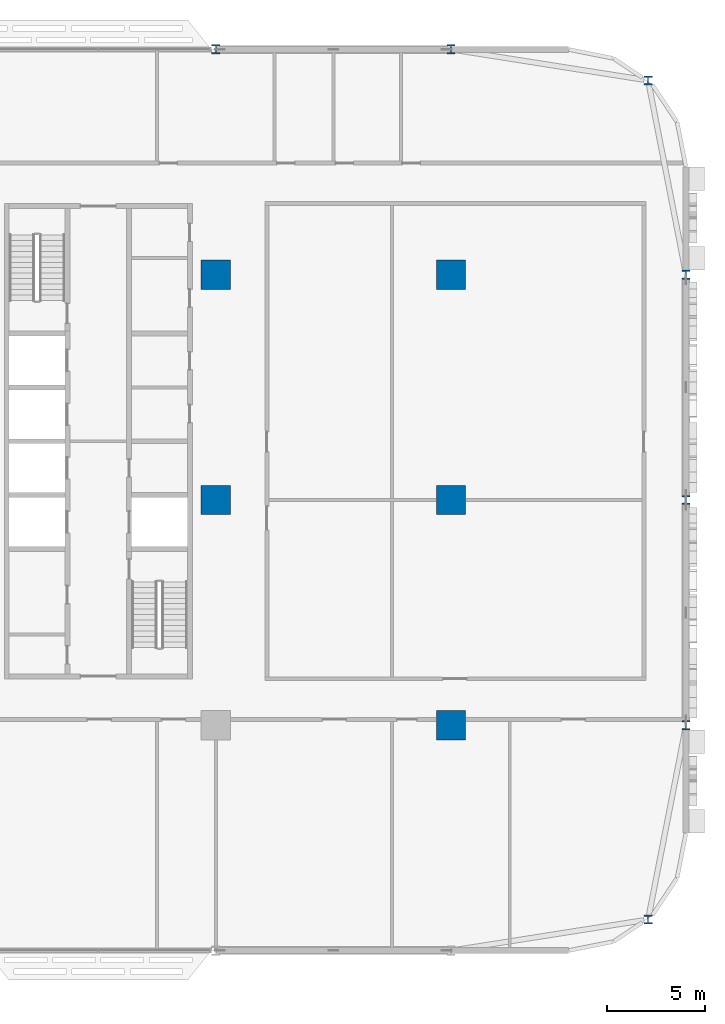
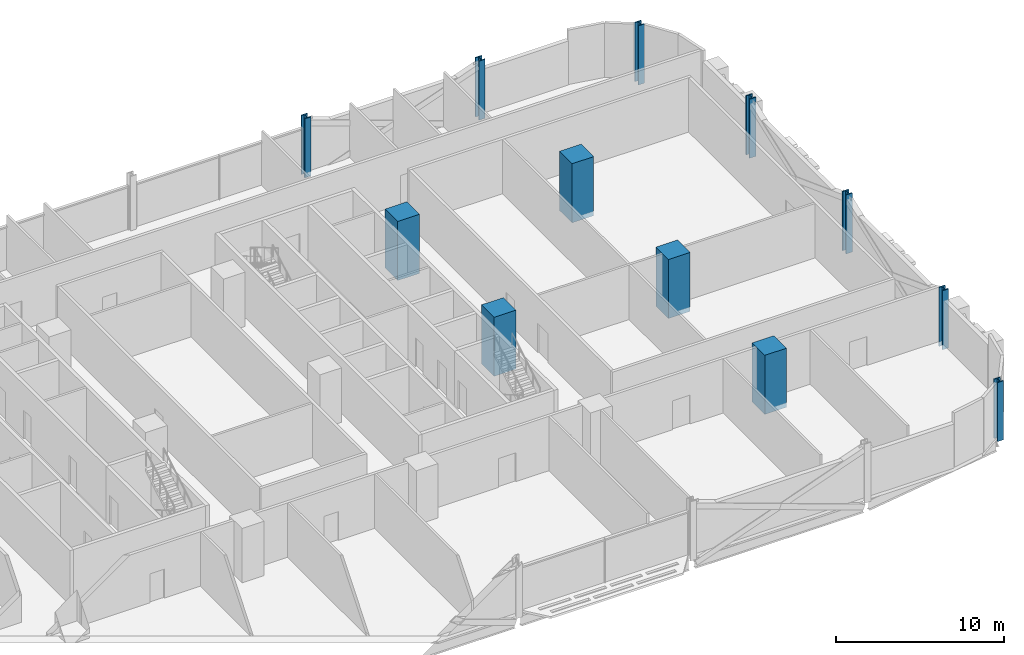
# One storey, part 2 of 29: 12 columns.
"""IFC4 building model written with IfcOpenShell, lengths in metres."""

from ifc_helpers import new_model, si_unit, direction, frame, origin, origin_2d, place, context, subcontext, project, spatial, rectangle, i_section, extrude, material, material_profile, profile_set, type_object, element, save


model = new_model("IFC4")

# Units and contexts
model_context = context("Model", 3, precision=1e-05, world=origin(), true_north=direction((0.0, 1.0)))
body_context = subcontext(model_context, "Body", "Model", "MODEL_VIEW")
ifc_project = project(units=[si_unit("LENGTHUNIT", "METRE"), si_unit("AREAUNIT", "SQUARE_METRE"), si_unit("VOLUMEUNIT", "CUBIC_METRE"), si_unit("PLANEANGLEUNIT", "RADIAN"), si_unit("MASSUNIT", "GRAM", prefix="KILO")], contexts=[model_context])

# Site, building, storey
site_placement = place(None, origin())
site = spatial("IfcSite", under=ifc_project, at=site_placement, CompositionType="ELEMENT")
building_placement = place(site_placement, origin())
building = spatial("IfcBuilding", under=site, at=building_placement, Name="Mahtab Terrace Research Tower", CompositionType="ELEMENT")
storey_placement = place(building_placement, frame((0.0, 0.0, 71.800048828125)))
storey = spatial("IfcBuildingStorey", under=building, at=storey_placement, Name="L16", CompositionType="ELEMENT", Elevation=71.800048828125)

# Columns
ifc_material_1 = material(Name="Concrete C70/85", Category="concrete")
ifc_material_profile_1 = material_profile(ifc_material_1, rectangle(XDim=1.5, YDim=1.5, at=origin_2d()), Name="RC column 1500x1500")
ifc_profile_set_1 = profile_set([ifc_material_profile_1], Name="Concrete C70/85")
column_type_1 = type_object("IfcColumnType", Name="RC column 1500x1500", PredefinedType="COLUMN", material=ifc_profile_set_1)
for number, where, z_axis, x_axis, name in (
    (1, (30.0, 0.0, -0.340087890625), (0.0, 0.0, 1.0), (1.0, 0.0, 0.0), "Column RC-7B L16"),
    (2, (30.0, 11.5, -0.340087890625), (0.0, 0.0, 1.0), (1.0, 0.0, 0.0), "Column RC-7C L16"),
    (3, (42.0, -11.5, -0.340087890625), (0.0, 0.0, 1.0), (1.0, 0.0, 0.0), "Column RC-8A L16"),
    (4, (42.0, 0.0, -0.340087890625), (0.0, 0.0, 1.0), (1.0, 0.0, 0.0), "Column RC-8B L16"),
    (5, (42.0, 11.5, -0.340087890625), (0.0, 0.0, 1.0), (1.0, 0.0, 0.0), "Column RC-8C L16"),
):
    element("IfcColumn", number, at=place(storey_placement, frame(where, z_axis=z_axis, x_axis=x_axis)), inside=storey, type_object=column_type_1, Name=name, PredefinedType="COLUMN", context=body_context, shape_type="SweptSolid", body=[
        extrude(rectangle(XDim=1.5, YDim=1.5, at=origin_2d()), origin(), (0.0, 0.0, 1.0), 4.300048828125),
    ])
ifc_material_2 = material(Name="Steel ASTM A992 Gr 50", Category="steel")
ifc_material_profile_2 = material_profile(ifc_material_2, i_section(OverallWidth=0.42431640625, OverallDepth=0.47509765625, WebThickness=0.0478515625, FlangeThickness=0.0771484375, at=origin_2d()), Name="W14X426")
ifc_profile_set_2 = profile_set([ifc_material_profile_2], Name="Steel ASTM A992 Gr 50")
column_type_2 = type_object("IfcColumnType", Name="W14x426 column CS14426", PredefinedType="COLUMN", material=ifc_profile_set_2)
for number, where, z_axis, x_axis, name in (
    (6, (52.06201171875, 21.416015625, -0.340087890625), (0.0, 0.0, 1.0), (1.0, 0.0, 0.0), "Column SC-023 L16"),
    (7, (42.0, 23.0, -0.340087890625), (0.0, 0.0, 1.0), (1.0, 0.0, 0.0), "Column SC-001 L16"),
    (8, (30.0, 23.0, -0.340087890625), (0.0, 0.0, 1.0), (1.0, 0.0, 0.0), "Column SC-002 L16"),
    (9, (52.06201171875, -21.416015625, -0.340087890625), (0.0, 0.0, 1.0), (1.0, 0.0, 0.0), "Column SC-026 L16"),
    (10, (54.0, -11.5, -0.340087890625), (0.0, 0.0, 1.0), (1.0, 0.0, 0.0), "Column SC-027 L16"),
    (11, (54.0, 0.0, -0.340087890625), (0.0, 0.0, 1.0), (1.0, 0.0, 0.0), "Column SC-028 L16"),
    (12, (54.0, 11.5, -0.340087890625), (0.0, 0.0, 1.0), (1.0, 0.0, 0.0), "Column SC-029 L16"),
):
    element("IfcColumn", number, at=place(storey_placement, frame(where, z_axis=z_axis, x_axis=x_axis)), inside=storey, type_object=column_type_2, Name=name, PredefinedType="COLUMN", context=body_context, shape_type="SweptSolid", body=[
        extrude(i_section(OverallWidth=0.42431640625, OverallDepth=0.47509765625, WebThickness=0.0478515625, FlangeThickness=0.0771484375, at=origin_2d()), origin(), (0.0, 0.0, 1.0), 4.300048828125),
    ])

save(model, "model.ifc")
